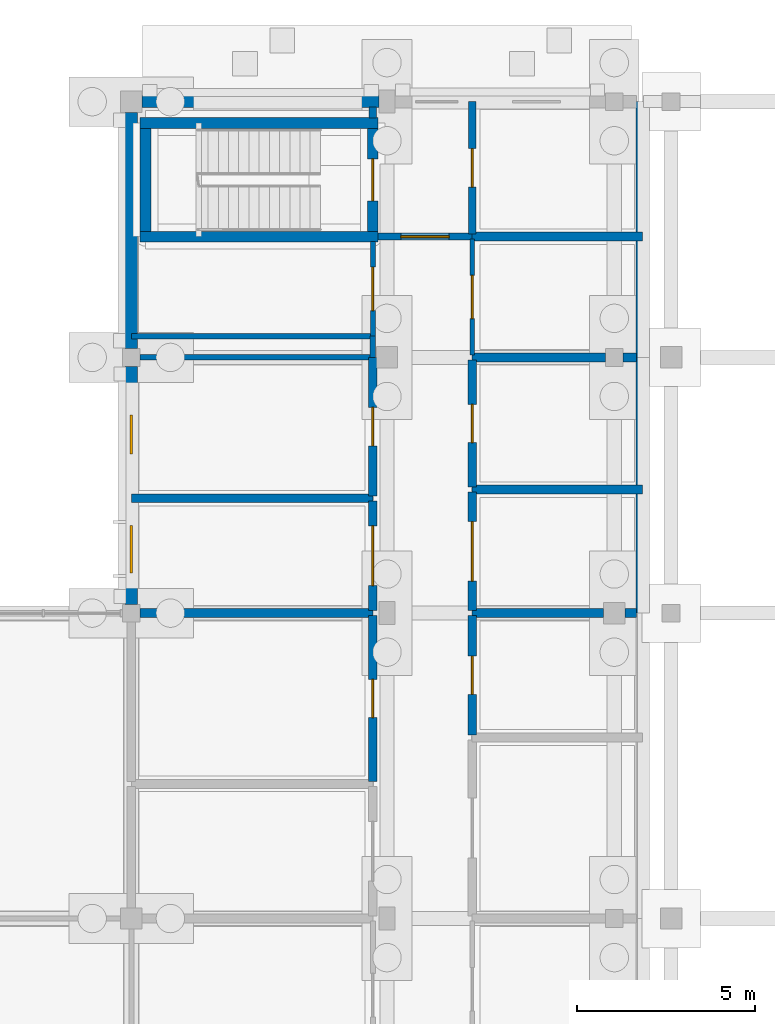
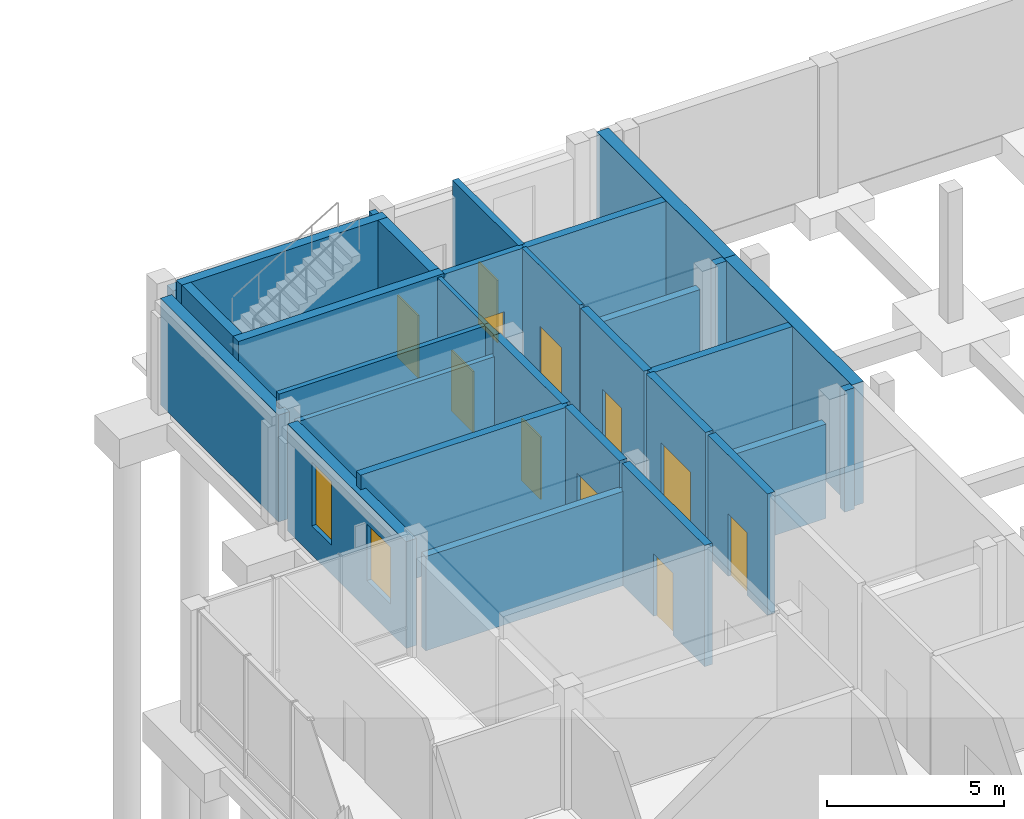
# One storey, part 82 of 104: 31 walls, 11 doors, 2 windows, 13 openings.
"""IFC4 building model written with IfcOpenShell, lengths in metres."""

from ifc_helpers import new_model, si_unit, direction, frame, frame_2d, origin, place, context, subcontext, project, spatial, rectangle, extrude, material, layer, layer_set, type_object, element, fill, save


model = new_model("IFC4")

# Units and contexts
model_context = context("Model", 3, precision=1e-05, world=origin(), true_north=direction((0.0, 1.0)))
body_context = subcontext(model_context, "Body", "Model", "MODEL_VIEW")
ifc_project = project(units=[si_unit("LENGTHUNIT", "METRE"), si_unit("AREAUNIT", "SQUARE_METRE"), si_unit("VOLUMEUNIT", "CUBIC_METRE"), si_unit("PLANEANGLEUNIT", "RADIAN"), si_unit("MASSUNIT", "GRAM", prefix="KILO")], contexts=[model_context])

# Site, building, storey
site_placement = place(None, origin())
site = spatial("IfcSite", under=ifc_project, at=site_placement, CompositionType="ELEMENT")
building_placement = place(site_placement, origin())
building = spatial("IfcBuilding", under=site, at=building_placement, Name="Hawrajan Terrace Health Centre", CompositionType="ELEMENT")
storey_placement = place(building_placement, origin())
storey = spatial("IfcBuildingStorey", under=building, at=storey_placement, Name="L00", CompositionType="ELEMENT", Elevation=0.0)

# Wall, opening, door
ifc_material_1 = material(Name="Gypsum board on acoustic stud framing")
ifc_layer_1 = layer(ifc_material_1, 0.139892578125)
ifc_layer_set_1 = layer_set([ifc_layer_1], Name="Gypsum board on acoustic stud framing")
wall_type_1 = type_object("IfcWallType", Name="ClinicalAcousticWall_140", PredefinedType="PARTITIONING", material=ifc_layer_set_1)
wall_1_placement = place(storey_placement, frame((121.800048828125, 53.199951171875, 0.0), z_axis=(0.0, 0.0, 1.0), x_axis=(0.0, 1.0, 0.0)))
wall_1 = element("IfcWall", 1, at=wall_1_placement, inside=storey, type_object=wall_type_1, Name="Interior wall IW-L00-0435", PredefinedType="PARTITIONING", context=body_context, shape_type="SweptSolid", body=[
    extrude(rectangle(XDim=2.66015625, YDim=0.139892578125, at=frame_2d((1.330078125, 0.0))), origin(), (0.0, 0.0, 1.0), 4.179931640625),
])
opening_1_placement = place(wall_1_placement, frame((0.719970703125, 0.0, 0.0)))
opening_1 = element("IfcOpeningElement", 2, at=opening_1_placement, cuts=wall_1, Name="Opening D-L00-124", PredefinedType="OPENING", context=body_context, shape_type="SweptSolid", body=[
    extrude(rectangle(XDim=1.219970703125, YDim=2.10009765625, at=frame_2d((0.60986328125, 1.050048828125))), frame((0.0, 0.079833984375, 0.0), z_axis=(0.0, -1.0, 0.0), x_axis=(1.0, 0.0, 0.0)), (0.0, 0.0, 1.0), 0.159912109375),
])
ifc_material_2 = material(Name="Hardwood acoustic clinical door leaf and frame", Category="wood")
door_type_1 = type_object("IfcDoorType", Name="ConsultDoor_1220x2100", OperationType="NOTDEFINED", PredefinedType="DOOR", material=ifc_material_2)
door_1_placement = place(opening_1_placement, origin())
door_1 = element("IfcDoor", 3, at=door_1_placement, inside=storey, type_object=door_type_1, Name="Interior door D-L00-124", OperationType="SINGLE_SWING_RIGHT", OverallHeight=2.10009765625, OverallWidth=1.219970703125, PredefinedType="DOOR", context=body_context, shape_type="SweptSolid", body=[
    extrude(rectangle(XDim=1.219970703125, YDim=2.10009765625, at=frame_2d((0.60986328125, 1.050048828125))), frame((0.0, 0.02490234375, 0.0), z_axis=(0.0, -1.0, 0.0), x_axis=(1.0, 0.0, 0.0)), (0.0, 0.0, 1.0), 0.050048828125),
])
fill(opening_1, door_1)

wall_2_placement = place(storey_placement, frame((124.60009765625, 52.669921875, 0.0), z_axis=(0.0, 0.0, 1.0), x_axis=(0.0, 1.0, 0.0)))
wall_2 = element("IfcWall", 4, at=wall_2_placement, inside=storey, type_object=wall_type_1, Name="Interior wall IW-L00-0461", PredefinedType="PARTITIONING", context=body_context, shape_type="SweptSolid", body=[
    extrude(rectangle(XDim=3.260009765625, YDim=0.139892578125, at=frame_2d((1.6298828125, 0.0))), origin(), (0.0, 0.0, 1.0), 4.179931640625),
])
opening_2_placement = place(wall_2_placement, frame((1.02001953125, 0.0, 0.0)))
opening_2 = element("IfcOpeningElement", 5, at=opening_2_placement, cuts=wall_2, Name="Opening D-L00-237", PredefinedType="OPENING", context=body_context, shape_type="SweptSolid", body=[
    extrude(rectangle(XDim=1.219970703125, YDim=2.10009765625, at=frame_2d((0.60986328125, 1.050048828125))), frame((0.0, 0.079833984375, 0.0), z_axis=(0.0, -1.0, 0.0), x_axis=(1.0, 0.0, 0.0)), (0.0, 0.0, 1.0), 0.159912109375),
])
door_2_placement = place(opening_2_placement, origin())
door_2 = element("IfcDoor", 6, at=door_2_placement, inside=storey, type_object=door_type_1, Name="Interior door D-L00-237", OperationType="SINGLE_SWING_LEFT", OverallHeight=2.10009765625, OverallWidth=1.219970703125, PredefinedType="DOOR", context=body_context, shape_type="SweptSolid", body=[
    extrude(rectangle(XDim=1.219970703125, YDim=2.10009765625, at=frame_2d((0.60986328125, 1.050048828125))), frame((0.0, 0.02490234375, 0.0), z_axis=(0.0, -1.0, 0.0), x_axis=(1.0, 0.0, 0.0)), (0.0, 0.0, 1.0), 0.050048828125),
])
fill(opening_2, door_2)

# Wall, openings, windows
ifc_material_3 = material(Name="Precast concrete C40/50", Category="concrete")
ifc_layer_2 = layer(ifc_material_3, 0.340087890625)
ifc_layer_set_2 = layer_set([ifc_layer_2], Name="Precast concrete C40/50")
wall_type_2 = type_object("IfcWallType", Name="CoralAshlarWall_340", PredefinedType="SOLIDWALL", material=ifc_layer_set_2)
wall_3_placement = place(storey_placement, frame((115.0, 45.64990234375, 0.0), z_axis=(0.0, 0.0, 1.0), x_axis=(0.0, 1.0, 0.0)))
wall_3 = element("IfcWall", 7, at=wall_3_placement, inside=storey, type_object=wall_type_2, Name="Exterior wall EW-L00-V14-05-1", PredefinedType="SOLIDWALL", context=body_context, shape_type="SweptSolid", body=[
    extrude(rectangle(XDim=6.7001953125, YDim=0.340087890625, at=frame_2d((3.35009765625, 0.0))), origin(), (0.0, 0.0, 1.0), 3.679931640625),
])
opening_3_placement = place(wall_3_placement, frame((0.88134765625, 0.0, 1.0)))
opening_3 = element("IfcOpeningElement", 8, at=opening_3_placement, cuts=wall_3, Name="Opening W-L00-040", PredefinedType="OPENING", context=body_context, shape_type="SweptSolid", body=[
    extrude(rectangle(XDim=1.340087890625, YDim=1.949951171875, at=frame_2d((0.669921875, 0.97509765625))), frame((0.0, 0.179931640625, 0.0), z_axis=(0.0, -1.0, 0.0), x_axis=(1.0, 0.0, 0.0)), (0.0, 0.0, 1.0), 0.360107421875),
])
opening_4_placement = place(wall_3_placement, frame((4.2314453125, 0.0, 1.0)))
opening_4 = element("IfcOpeningElement", 9, at=opening_4_placement, cuts=wall_3, Name="Opening W-L00-041", PredefinedType="OPENING", context=body_context, shape_type="SweptSolid", body=[
    extrude(rectangle(XDim=1.10009765625, YDim=2.199951171875, at=frame_2d((0.550048828125, 1.10009765625))), frame((0.0, 0.179931640625, 0.0), z_axis=(0.0, -1.0, 0.0), x_axis=(1.0, 0.0, 0.0)), (0.0, 0.0, 1.0), 0.360107421875),
])
ifc_material_4 = material(Name="Anodized bronze frame with double low-E glazing", Category="glass")
window_type_1 = type_object("IfcWindowType", Name="FacadeWindow_1100x2200", PartitioningType="SINGLE_PANEL", PredefinedType="WINDOW", material=ifc_material_4)
window_1_placement = place(opening_4_placement, origin())
window_1 = element("IfcWindow", 10, at=window_1_placement, inside=storey, type_object=window_type_1, Name="Window W-L00-041", OverallHeight=2.199951171875, OverallWidth=1.10009765625, PartitioningType="SINGLE_PANEL", PredefinedType="WINDOW", context=body_context, shape_type="SweptSolid", body=[
    extrude(rectangle(XDim=1.10009765625, YDim=2.199951171875, at=frame_2d((0.550048828125, 1.10009765625))), frame((0.0, 0.030029296875, 0.0), z_axis=(0.0, -1.0, 0.0), x_axis=(1.0, 0.0, 0.0)), (0.0, 0.0, 1.0), 0.06005859375),
])
fill(opening_4, window_1)
window_type_2 = type_object("IfcWindowType", Name="FacadeWindow_1340x1950", PartitioningType="SINGLE_PANEL", PredefinedType="WINDOW", material=ifc_material_4)
window_2_placement = place(opening_3_placement, origin())
window_2 = element("IfcWindow", 11, at=window_2_placement, inside=storey, type_object=window_type_2, Name="Window W-L00-040", OverallHeight=1.949951171875, OverallWidth=1.340087890625, PartitioningType="SINGLE_PANEL", PredefinedType="WINDOW", context=body_context, shape_type="SweptSolid", body=[
    extrude(rectangle(XDim=1.340087890625, YDim=1.949951171875, at=frame_2d((0.669921875, 0.97509765625))), frame((0.0, 0.030029296875, 0.0), z_axis=(0.0, -1.0, 0.0), x_axis=(1.0, 0.0, 0.0)), (0.0, 0.0, 1.0), 0.06005859375),
])
fill(opening_3, window_2)

# Walls
wall_4_placement = place(storey_placement, frame((115.300048828125, 59.800048828125, 0.0), z_axis=(0.0, 0.0, 1.0), x_axis=(1.0, 0.0, 0.0)))
element("IfcWall", 12, at=wall_4_placement, inside=storey, type_object=wall_type_2, Name="Exterior wall EW-L00-H14-07-1", PredefinedType="SOLIDWALL", context=body_context, shape_type="SweptSolid", body=[
    extrude(rectangle(XDim=6.675048828125, YDim=0.340087890625, at=frame_2d((3.33740234375, 0.0))), origin(), (0.0, 0.0, 1.0), 3.679931640625),
])
ifc_layer_3 = layer(ifc_material_3, 0.360107421875)
ifc_layer_set_3 = layer_set([ifc_layer_3], Name="Precast concrete C40/50")
wall_type_3 = type_object("IfcWallType", Name="CoralPodiumWall_360", PredefinedType="SOLIDWALL", material=ifc_layer_set_3)
wall_5_placement = place(storey_placement, frame((115.0, 52.85009765625, 0.0), z_axis=(0.0, 0.0, 1.0), x_axis=(0.0, 1.0, 0.0)))
element("IfcWall", 13, at=wall_5_placement, inside=storey, type_object=wall_type_3, Name="Exterior wall EW-L00-V14-06-1", PredefinedType="SOLIDWALL", context=body_context, shape_type="SweptSolid", body=[
    extrude(rectangle(XDim=6.64990234375, YDim=0.360107421875, at=frame_2d((3.324951171875, 0.0))), origin(), (0.0, 0.0, 1.0), 3.679931640625),
])
ifc_material_5 = material(Name="Concrete C40/50", Category="concrete")
ifc_layer_4 = layer(ifc_material_5, 0.300048828125)
ifc_layer_set_4 = layer_set([ifc_layer_4], Name="Concrete C40/50")
wall_type_4 = type_object("IfcWallType", Name="CoreShearWall_RC300", PredefinedType="SHEAR", material=ifc_layer_set_4)
for number, where, z_axis, x_axis, name in (
    (14, (115.25, 56.0, 0.0), (0.0, 0.0, 1.0), (1.0, 0.0, 0.0), "Core shear wall SW-S7-L00-S"),
    (15, (115.25, 59.199951171875, 0.0), (0.0, 0.0, 1.0), (1.0, 0.0, 0.0), "Core shear wall SW-S7-L00-N"),
):
    element("IfcWall", number, at=place(storey_placement, frame(where, z_axis=z_axis, x_axis=x_axis)), inside=storey, type_object=wall_type_4, Name=name, PredefinedType="SHEAR", context=body_context, shape_type="SweptSolid", body=[
        extrude(rectangle(XDim=6.699951171875, YDim=0.300048828125, at=frame_2d((3.35009765625, 0.0))), origin(), (0.0, 0.0, 1.0), 4.25),
    ])
wall_6_placement = place(storey_placement, frame((115.39990234375, 56.14990234375, 0.0), z_axis=(0.0, 0.0, 1.0), x_axis=(0.0, 1.0, 0.0)))
element("IfcWall", 16, at=wall_6_placement, inside=storey, type_object=wall_type_4, Name="Core shear wall SW-S7-L00-W", PredefinedType="SHEAR", context=body_context, shape_type="SweptSolid", body=[
    extrude(rectangle(XDim=2.900146484375, YDim=0.300048828125, at=frame_2d((1.4501953125, 0.0))), origin(), (0.0, 0.0, 1.0), 4.25),
])

# Wall, opening, door
wall_7_placement = place(storey_placement, frame((121.800048828125, 56.14990234375, 0.0), z_axis=(0.0, 0.0, 1.0), x_axis=(0.0, 1.0, 0.0)))
wall_7 = element("IfcWall", 17, at=wall_7_placement, inside=storey, type_object=wall_type_4, Name="Core shear wall SW-S7-L00-E", PredefinedType="SHEAR", context=body_context, shape_type="SweptSolid", body=[
    extrude(rectangle(XDim=2.900146484375, YDim=0.300048828125, at=frame_2d((1.4501953125, 0.0))), origin(), (0.0, 0.0, 1.0), 4.25),
])
opening_5_placement = place(wall_7_placement, frame((0.860107421875, 0.0, 0.0)))
opening_5 = element("IfcOpeningElement", 18, at=opening_5_placement, cuts=wall_7, Name="Opening D-L00-102", PredefinedType="OPENING", context=body_context, shape_type="SweptSolid", body=[
    extrude(rectangle(XDim=1.179931640625, YDim=2.14990234375, at=frame_2d((0.58984375, 1.074951171875))), frame((0.0, 0.159912109375, 0.0), z_axis=(0.0, -1.0, 0.0), x_axis=(1.0, 0.0, 0.0)), (0.0, 0.0, 1.0), 0.320068359375),
])
ifc_material_6 = material(Name="Timber-veneered acoustic fire-resisting door assembly", Category="wood")
door_type_2 = type_object("IfcDoorType", Name="CoreStairDoor_1180x2150", OperationType="NOTDEFINED", PredefinedType="DOOR", material=ifc_material_6)
door_3_placement = place(opening_5_placement, origin())
door_3 = element("IfcDoor", 19, at=door_3_placement, inside=storey, type_object=door_type_2, Name="Interior door D-L00-102", OperationType="SINGLE_SWING_RIGHT", OverallHeight=2.14990234375, OverallWidth=1.179931640625, PredefinedType="DOOR", context=body_context, shape_type="SweptSolid", body=[
    extrude(rectangle(XDim=1.179931640625, YDim=2.14990234375, at=frame_2d((0.58984375, 1.074951171875))), frame((0.0, 0.02490234375, 0.0), z_axis=(0.0, -1.0, 0.0), x_axis=(1.0, 0.0, 0.0)), (0.0, 0.0, 1.0), 0.050048828125),
])
fill(opening_5, door_3)

# Walls
ifc_layer_5 = layer(ifc_material_1, 0.159912109375)
ifc_layer_set_5 = layer_set([ifc_layer_5], Name="Gypsum board on acoustic stud framing")
wall_type_5 = type_object("IfcWallType", Name="CorridorFireWall_160", PredefinedType="PARTITIONING", material=ifc_layer_set_5)
wall_8_placement = place(storey_placement, frame((121.800048828125, 52.60009765625, 0.0), z_axis=(0.0, 0.0, 1.0), x_axis=(0.0, 1.0, 0.0)))
element("IfcWall", 20, at=wall_8_placement, inside=storey, type_object=wall_type_5, Name="Interior wall IW-L00-0488", PredefinedType="PARTITIONING", context=body_context, shape_type="SweptSolid", body=[
    extrude(rectangle(XDim=0.599853515625, YDim=0.159912109375, at=frame_2d((0.2998046875, 0.0))), origin(), (0.0, 0.0, 1.0), 4.179931640625),
])
wall_9_placement = place(storey_placement, frame((115.0, 53.199951171875, 0.0), z_axis=(0.0, 0.0, 1.0), x_axis=(1.0, 0.0, 0.0)))
element("IfcWall", 21, at=wall_9_placement, inside=storey, type_object=wall_type_5, Name="Interior wall IW-L00-0490", PredefinedType="PARTITIONING", context=body_context, shape_type="SweptSolid", body=[
    extrude(rectangle(XDim=6.800048828125, YDim=0.159912109375, at=frame_2d((3.39990234375, 0.0))), origin(), (0.0, 0.0, 1.0), 4.179931640625),
])
wall_10_placement = place(storey_placement, frame((121.800048828125, 52.60009765625, 0.0), z_axis=(0.0, 0.0, 1.0), x_axis=(-1.0, 0.0, 0.0)))
element("IfcWall", 22, at=wall_10_placement, inside=storey, type_object=wall_type_5, Name="Interior wall IW-L00-0505", PredefinedType="PARTITIONING", context=body_context, shape_type="SweptSolid", body=[
    extrude(rectangle(XDim=6.550048828125, YDim=0.159912109375, at=frame_2d((3.27490234375, 0.0))), origin(), (0.0, 0.0, 1.0), 3.5),
])
ifc_layer_6 = layer(ifc_material_5, 0.3798828125)
ifc_layer_set_6 = layer_set([ifc_layer_6], Name="Concrete C40/50")
wall_type_6 = type_object("IfcWallType", Name="EscarpmentWall_RC380", PredefinedType="USERDEFINED", material=ifc_layer_set_6)
wall_11_placement = place(storey_placement, frame((129.39501953125, 45.39990234375, 0.0), z_axis=(0.0, 0.0, 1.0), x_axis=(0.0, 1.0, 0.0)))
element("IfcWall", 23, at=wall_11_placement, inside=storey, type_object=wall_type_6, Name="Exterior wall EW-L00-V16-05-1", ObjectType="RETAINING WALL", PredefinedType="USERDEFINED", context=body_context, shape_type="SweptSolid", body=[
    extrude(rectangle(XDim=7.2001953125, YDim=0.3798828125, at=frame_2d((3.60009765625, 0.0))), origin(), (0.0, 0.0, 1.0), 4.199951171875),
])
wall_12_placement = place(storey_placement, frame((129.39501953125, 52.60009765625, 0.0), z_axis=(0.0, 0.0, 1.0), x_axis=(0.0, 1.0, 0.0)))
element("IfcWall", 24, at=wall_12_placement, inside=storey, type_object=wall_type_6, Name="Exterior wall EW-L00-V16-06-1", ObjectType="RETAINING WALL", PredefinedType="USERDEFINED", context=body_context, shape_type="SweptSolid", body=[
    extrude(rectangle(XDim=7.199951171875, YDim=0.3798828125, at=frame_2d((3.60009765625, 0.0))), origin(), (0.0, 0.0, 1.0), 4.199951171875),
])

# Wall, opening, door
ifc_material_7 = material(Name="Cross-laminated timber CLT C24", Category="wood")
ifc_layer_7 = layer(ifc_material_7, 0.199951171875)
ifc_layer_set_7 = layer_set([ifc_layer_7], Name="Cross-laminated timber CLT C24")
wall_type_7 = type_object("IfcWallType", Name="FireCompartmentWall_200", PredefinedType="PARTITIONING", material=ifc_layer_set_7)
wall_13_placement = place(storey_placement, frame((121.93994140625, 56.0, 0.0), z_axis=(0.0, 0.0, 1.0), x_axis=(1.0, 0.0, 0.0)))
wall_13 = element("IfcWall", 25, at=wall_13_placement, inside=storey, type_object=wall_type_7, Name="Interior wall IW-L00-0436", PredefinedType="PARTITIONING", context=body_context, shape_type="SweptSolid", body=[
    extrude(rectangle(XDim=2.66015625, YDim=0.199951171875, at=frame_2d((1.330078125, 0.0))), origin(), (0.0, 0.0, 1.0), 4.179931640625),
])
opening_6_placement = place(wall_13_placement, frame((0.64990234375, 0.0, 0.0)))
opening_6 = element("IfcOpeningElement", 26, at=opening_6_placement, cuts=wall_13, Name="Opening D-L00-143", PredefinedType="OPENING", context=body_context, shape_type="SweptSolid", body=[
    extrude(rectangle(XDim=1.360107421875, YDim=2.199951171875, at=frame_2d((0.68017578125, 1.10009765625))), frame((0.0, 0.10986328125, 0.0), z_axis=(0.0, -1.0, 0.0), x_axis=(1.0, 0.0, 0.0)), (0.0, 0.0, 1.0), 0.219970703125),
])
door_type_3 = type_object("IfcDoorType", Name="FFLobbyDoor_1360x2200", OperationType="NOTDEFINED", PredefinedType="DOOR", material=ifc_material_6)
door_4_placement = place(opening_6_placement, origin())
door_4 = element("IfcDoor", 27, at=door_4_placement, inside=storey, type_object=door_type_3, Name="Interior door D-L00-143", OperationType="SINGLE_SWING_LEFT", OverallHeight=2.199951171875, OverallWidth=1.360107421875, PredefinedType="DOOR", context=body_context, shape_type="SweptSolid", body=[
    extrude(rectangle(XDim=1.360107421875, YDim=2.199951171875, at=frame_2d((0.68017578125, 1.10009765625))), frame((0.0, 0.02490234375, 0.0), z_axis=(0.0, -1.0, 0.0), x_axis=(1.0, 0.0, 0.0)), (0.0, 0.0, 1.0), 0.050048828125),
])
fill(opening_6, door_4)

wall_14_placement = place(storey_placement, frame((124.60009765625, 56.070068359375, 0.0), z_axis=(0.0, 0.0, 1.0), x_axis=(0.0, 1.0, 0.0)))
wall_14 = element("IfcWall", 28, at=wall_14_placement, inside=storey, type_object=wall_type_7, Name="Interior wall IW-L00-0464", PredefinedType="PARTITIONING", context=body_context, shape_type="SweptSolid", body=[
    extrude(rectangle(XDim=3.72998046875, YDim=0.199951171875, at=frame_2d((1.864990234375, 0.0))), origin(), (0.0, 0.0, 1.0), 4.179931640625),
])
opening_7_placement = place(wall_14_placement, frame((1.324951171875, 0.0, 0.0)))
opening_7 = element("IfcOpeningElement", 29, at=opening_7_placement, cuts=wall_14, Name="Opening D-L00-238", PredefinedType="OPENING", context=body_context, shape_type="SweptSolid", body=[
    extrude(rectangle(XDim=1.080078125, YDim=2.14990234375, at=frame_2d((0.5400390625, 1.074951171875))), frame((0.0, 0.10986328125, 0.0), z_axis=(0.0, -1.0, 0.0), x_axis=(1.0, 0.0, 0.0)), (0.0, 0.0, 1.0), 0.219970703125),
])
door_type_4 = type_object("IfcDoorType", Name="ClinicalFireDoor_1080x2150", OperationType="NOTDEFINED", PredefinedType="DOOR", material=ifc_material_6)
door_5_placement = place(opening_7_placement, origin())
door_5 = element("IfcDoor", 30, at=door_5_placement, inside=storey, type_object=door_type_4, Name="Interior door D-L00-238", OperationType="SINGLE_SWING_RIGHT", OverallHeight=2.14990234375, OverallWidth=1.080078125, PredefinedType="DOOR", context=body_context, shape_type="SweptSolid", body=[
    extrude(rectangle(XDim=1.080078125, YDim=2.14990234375, at=frame_2d((0.5400390625, 1.074951171875))), frame((0.0, 0.02490234375, 0.0), z_axis=(0.0, -1.0, 0.0), x_axis=(1.0, 0.0, 0.0)), (0.0, 0.0, 1.0), 0.050048828125),
])
fill(opening_7, door_5)

# Walls
wall_15_placement = place(storey_placement, frame((121.800048828125, 59.340087890625, 0.0), z_axis=(0.0, 0.0, 1.0), x_axis=(0.0, 1.0, 0.0)))
element("IfcWall", 31, at=wall_15_placement, inside=storey, type_object=wall_type_7, Name="Interior wall IW-L00-0474", PredefinedType="PARTITIONING", context=body_context, shape_type="SweptSolid", body=[
    extrude(rectangle(XDim=0.309814453125, YDim=0.199951171875, at=frame_2d((0.15478515625, 0.0))), origin(), (0.0, 0.0, 1.0), 4.179931640625),
])
ifc_layer_8 = layer(ifc_material_5, 0.25)
ifc_layer_set_8 = layer_set([ifc_layer_8], Name="Concrete C40/50")
wall_type_8 = type_object("IfcWallType", Name="RadiationShieldWall_RC250", PredefinedType="SOLIDWALL", material=ifc_layer_set_8)
wall_16_placement = place(storey_placement, frame((115.25, 45.39990234375, 0.0), z_axis=(0.0, 0.0, 1.0), x_axis=(1.0, 0.0, 0.0)))
element("IfcWall", 32, at=wall_16_placement, inside=storey, type_object=wall_type_8, Name="Interior wall IW-L00-0421", PredefinedType="SOLIDWALL", context=body_context, shape_type="SweptSolid", body=[
    extrude(rectangle(XDim=6.550048828125, YDim=0.25, at=frame_2d((3.27490234375, 0.0))), origin(), (0.0, 0.0, 1.0), 3.25),
])
wall_17_placement = place(storey_placement, frame((115.0, 48.633056640625, 0.0), z_axis=(0.0, 0.0, 1.0), x_axis=(1.0, 0.0, 0.0)))
element("IfcWall", 33, at=wall_17_placement, inside=storey, type_object=wall_type_8, Name="Interior wall IW-L00-0422", PredefinedType="SOLIDWALL", context=body_context, shape_type="SweptSolid", body=[
    extrude(rectangle(XDim=6.800048828125, YDim=0.25, at=frame_2d((3.39990234375, 0.0))), origin(), (0.0, 0.0, 1.0), 4.179931640625),
])

# Wall, opening, door
wall_18_placement = place(storey_placement, frame((121.800048828125, 40.6630859375, 0.0), z_axis=(0.0, 0.0, 1.0), x_axis=(0.0, 1.0, 0.0)))
wall_18 = element("IfcWall", 34, at=wall_18_placement, inside=storey, type_object=wall_type_8, Name="Interior wall IW-L00-0432", PredefinedType="SOLIDWALL", context=body_context, shape_type="SweptSolid", body=[
    extrude(rectangle(XDim=4.6669921875, YDim=0.25, at=frame_2d((2.33349609375, 0.0))), origin(), (0.0, 0.0, 1.0), 4.179931640625),
])
opening_8_placement = place(wall_18_placement, frame((1.79345703125, 0.0, 0.0)))
opening_8 = element("IfcOpeningElement", 35, at=opening_8_placement, cuts=wall_18, Name="Opening D-L00-224", PredefinedType="OPENING", context=body_context, shape_type="SweptSolid", body=[
    extrude(rectangle(XDim=1.080078125, YDim=2.14990234375, at=frame_2d((0.5400390625, 1.074951171875))), frame((0.0, 0.135009765625, 0.0), z_axis=(0.0, -1.0, 0.0), x_axis=(1.0, 0.0, 0.0)), (0.0, 0.0, 1.0), 0.27001953125),
])
door_6_placement = place(opening_8_placement, origin())
door_6 = element("IfcDoor", 36, at=door_6_placement, inside=storey, type_object=door_type_4, Name="Interior door D-L00-224", OperationType="SINGLE_SWING_RIGHT", OverallHeight=2.14990234375, OverallWidth=1.080078125, PredefinedType="DOOR", context=body_context, shape_type="SweptSolid", body=[
    extrude(rectangle(XDim=1.080078125, YDim=2.14990234375, at=frame_2d((0.5400390625, 1.074951171875))), frame((0.0, 0.02490234375, 0.0), z_axis=(0.0, -1.0, 0.0), x_axis=(1.0, 0.0, 0.0)), (0.0, 0.0, 1.0), 0.050048828125),
])
fill(opening_8, door_6)

wall_19_placement = place(storey_placement, frame((121.800048828125, 45.469970703125, 0.0), z_axis=(0.0, 0.0, 1.0), x_axis=(0.0, 1.0, 0.0)))
wall_19 = element("IfcWall", 37, at=wall_19_placement, inside=storey, type_object=wall_type_8, Name="Interior wall IW-L00-0433", PredefinedType="SOLIDWALL", context=body_context, shape_type="SweptSolid", body=[
    extrude(rectangle(XDim=3.093017578125, YDim=0.25, at=frame_2d((1.54638671875, 0.0))), origin(), (0.0, 0.0, 1.0), 4.179931640625),
])
opening_9_placement = place(wall_19_placement, frame((0.70654296875, 0.0, 0.0)))
opening_9 = element("IfcOpeningElement", 38, at=opening_9_placement, cuts=wall_19, Name="Opening D-L00-225", PredefinedType="OPENING", context=body_context, shape_type="SweptSolid", body=[
    extrude(rectangle(XDim=1.679931640625, YDim=2.300048828125, at=frame_2d((0.83984375, 1.14990234375))), frame((0.0, 0.135009765625, 0.0), z_axis=(0.0, -1.0, 0.0), x_axis=(1.0, 0.0, 0.0)), (0.0, 0.0, 1.0), 0.27001953125),
])
door_type_5 = type_object("IfcDoorType", Name="ImagingShieldedDoor_1680x2300", OperationType="DOUBLE_DOOR_SINGLE_SWING", PredefinedType="DOOR", material=ifc_material_6)
door_7_placement = place(opening_9_placement, origin())
door_7 = element("IfcDoor", 39, at=door_7_placement, inside=storey, type_object=door_type_5, Name="Interior door D-L00-225", OperationType="DOUBLE_DOOR_SINGLE_SWING", OverallHeight=2.300048828125, OverallWidth=1.679931640625, PredefinedType="DOOR", context=body_context, shape_type="SweptSolid", body=[
    extrude(rectangle(XDim=1.679931640625, YDim=2.300048828125, at=frame_2d((0.83984375, 1.14990234375))), frame((0.0, 0.02490234375, 0.0), z_axis=(0.0, -1.0, 0.0), x_axis=(1.0, 0.0, 0.0)), (0.0, 0.0, 1.0), 0.050048828125),
])
fill(opening_9, door_7)

wall_20_placement = place(storey_placement, frame((121.800048828125, 48.702880859375, 0.0), z_axis=(0.0, 0.0, 1.0), x_axis=(0.0, 1.0, 0.0)))
wall_20 = element("IfcWall", 40, at=wall_20_placement, inside=storey, type_object=wall_type_8, Name="Interior wall IW-L00-0434", PredefinedType="SOLIDWALL", context=body_context, shape_type="SweptSolid", body=[
    extrude(rectangle(XDim=3.897216796875, YDim=0.25, at=frame_2d((1.94873046875, 0.0))), origin(), (0.0, 0.0, 1.0), 4.179931640625),
])
opening_10_placement = place(wall_20_placement, frame((1.408447265625, 0.0, 0.0)))
opening_10 = element("IfcOpeningElement", 41, at=opening_10_placement, cuts=wall_20, Name="Opening D-L00-226", PredefinedType="OPENING", context=body_context, shape_type="SweptSolid", body=[
    extrude(rectangle(XDim=1.080078125, YDim=2.14990234375, at=frame_2d((0.5400390625, 1.074951171875))), frame((0.0, 0.135009765625, 0.0), z_axis=(0.0, -1.0, 0.0), x_axis=(1.0, 0.0, 0.0)), (0.0, 0.0, 1.0), 0.27001953125),
])
door_8_placement = place(opening_10_placement, origin())
door_8 = element("IfcDoor", 42, at=door_8_placement, inside=storey, type_object=door_type_4, Name="Interior door D-L00-226", OperationType="SINGLE_SWING_RIGHT", OverallHeight=2.14990234375, OverallWidth=1.080078125, PredefinedType="DOOR", context=body_context, shape_type="SweptSolid", body=[
    extrude(rectangle(XDim=1.080078125, YDim=2.14990234375, at=frame_2d((0.5400390625, 1.074951171875))), frame((0.0, 0.02490234375, 0.0), z_axis=(0.0, -1.0, 0.0), x_axis=(1.0, 0.0, 0.0)), (0.0, 0.0, 1.0), 0.050048828125),
])
fill(opening_10, door_8)

wall_21_placement = place(storey_placement, frame((124.60009765625, 41.969970703125, 0.0), z_axis=(0.0, 0.0, 1.0), x_axis=(0.0, 1.0, 0.0)))
wall_21 = element("IfcWall", 43, at=wall_21_placement, inside=storey, type_object=wall_type_8, Name="Interior wall IW-L00-0454", PredefinedType="SOLIDWALL", context=body_context, shape_type="SweptSolid", body=[
    extrude(rectangle(XDim=3.360107421875, YDim=0.25, at=frame_2d((1.68017578125, 0.0))), origin(), (0.0, 0.0, 1.0), 4.179931640625),
])
opening_11_placement = place(wall_21_placement, frame((1.139892578125, 0.0, 0.0)))
opening_11 = element("IfcOpeningElement", 44, at=opening_11_placement, cuts=wall_21, Name="Opening D-L00-234", PredefinedType="OPENING", context=body_context, shape_type="SweptSolid", body=[
    extrude(rectangle(XDim=1.080078125, YDim=2.14990234375, at=frame_2d((0.5400390625, 1.074951171875))), frame((0.0, 0.135009765625, 0.0), z_axis=(0.0, -1.0, 0.0), x_axis=(1.0, 0.0, 0.0)), (0.0, 0.0, 1.0), 0.27001953125),
])
door_9_placement = place(opening_11_placement, origin())
door_9 = element("IfcDoor", 45, at=door_9_placement, inside=storey, type_object=door_type_4, Name="Interior door D-L00-234", OperationType="SINGLE_SWING_RIGHT", OverallHeight=2.14990234375, OverallWidth=1.080078125, PredefinedType="DOOR", context=body_context, shape_type="SweptSolid", body=[
    extrude(rectangle(XDim=1.080078125, YDim=2.14990234375, at=frame_2d((0.5400390625, 1.074951171875))), frame((0.0, 0.02490234375, 0.0), z_axis=(0.0, -1.0, 0.0), x_axis=(1.0, 0.0, 0.0)), (0.0, 0.0, 1.0), 0.050048828125),
])
fill(opening_11, door_9)

wall_22_placement = place(storey_placement, frame((124.60009765625, 45.469970703125, 0.0), z_axis=(0.0, 0.0, 1.0), x_axis=(0.0, 1.0, 0.0)))
wall_22 = element("IfcWall", 46, at=wall_22_placement, inside=storey, type_object=wall_type_8, Name="Interior wall IW-L00-0456", PredefinedType="SOLIDWALL", context=body_context, shape_type="SweptSolid", body=[
    extrude(rectangle(XDim=3.338134765625, YDim=0.25, at=frame_2d((1.6689453125, 0.0))), origin(), (0.0, 0.0, 1.0), 4.179931640625),
])
opening_12_placement = place(wall_22_placement, frame((0.8291015625, 0.0, 0.0)))
opening_12 = element("IfcOpeningElement", 47, at=opening_12_placement, cuts=wall_22, Name="Opening D-L00-235", PredefinedType="OPENING", context=body_context, shape_type="SweptSolid", body=[
    extrude(rectangle(XDim=1.679931640625, YDim=2.300048828125, at=frame_2d((0.83984375, 1.14990234375))), frame((0.0, 0.135009765625, 0.0), z_axis=(0.0, -1.0, 0.0), x_axis=(1.0, 0.0, 0.0)), (0.0, 0.0, 1.0), 0.27001953125),
])
door_10_placement = place(opening_12_placement, origin())
door_10 = element("IfcDoor", 48, at=door_10_placement, inside=storey, type_object=door_type_5, Name="Interior door D-L00-235", OperationType="DOUBLE_DOOR_SINGLE_SWING", OverallHeight=2.300048828125, OverallWidth=1.679931640625, PredefinedType="DOOR", context=body_context, shape_type="SweptSolid", body=[
    extrude(rectangle(XDim=1.679931640625, YDim=2.300048828125, at=frame_2d((0.83984375, 1.14990234375))), frame((0.0, 0.02490234375, 0.0), z_axis=(0.0, -1.0, 0.0), x_axis=(1.0, 0.0, 0.0)), (0.0, 0.0, 1.0), 0.050048828125),
])
fill(opening_12, door_10)

# Walls
wall_23_placement = place(storey_placement, frame((124.60009765625, 45.39990234375, 0.0), z_axis=(0.0, 0.0, 1.0), x_axis=(1.0, 0.0, 0.0)))
element("IfcWall", 49, at=wall_23_placement, inside=storey, type_object=wall_type_8, Name="Interior wall IW-L00-0457", PredefinedType="SOLIDWALL", context=body_context, shape_type="SweptSolid", body=[
    extrude(rectangle(XDim=3.699951171875, YDim=0.25, at=frame_2d((1.85009765625, 0.0))), origin(), (0.0, 0.0, 1.0), 3.25),
])
wall_24_placement = place(storey_placement, frame((128.89990234375, 45.39990234375, 0.0), z_axis=(0.0, 0.0, 1.0), x_axis=(1.0, 0.0, 0.0)))
element("IfcWall", 50, at=wall_24_placement, inside=storey, type_object=wall_type_8, Name="Interior wall IW-L00-0458", PredefinedType="SOLIDWALL", context=body_context, shape_type="SweptSolid", body=[
    extrude(rectangle(XDim=0.3251953125, YDim=0.25, at=frame_2d((0.16259765625, 0.0))), origin(), (0.0, 0.0, 1.0), 4.179931640625),
])

# Wall, opening, door
wall_25_placement = place(storey_placement, frame((124.60009765625, 48.947998046875, 0.0), z_axis=(0.0, 0.0, 1.0), x_axis=(0.0, 1.0, 0.0)))
wall_25 = element("IfcWall", 51, at=wall_25_placement, inside=storey, type_object=wall_type_8, Name="Interior wall IW-L00-0459", PredefinedType="SOLIDWALL", context=body_context, shape_type="SweptSolid", body=[
    extrude(rectangle(XDim=3.58203125, YDim=0.25, at=frame_2d((1.791015625, 0.0))), origin(), (0.0, 0.0, 1.0), 4.179931640625),
])
opening_13_placement = place(wall_25_placement, frame((1.2509765625, 0.0, 0.0)))
opening_13 = element("IfcOpeningElement", 52, at=opening_13_placement, cuts=wall_25, Name="Opening D-L00-236", PredefinedType="OPENING", context=body_context, shape_type="SweptSolid", body=[
    extrude(rectangle(XDim=1.080078125, YDim=2.14990234375, at=frame_2d((0.5400390625, 1.074951171875))), frame((0.0, 0.135009765625, 0.0), z_axis=(0.0, -1.0, 0.0), x_axis=(1.0, 0.0, 0.0)), (0.0, 0.0, 1.0), 0.27001953125),
])
door_11_placement = place(opening_13_placement, origin())
door_11 = element("IfcDoor", 53, at=door_11_placement, inside=storey, type_object=door_type_4, Name="Interior door D-L00-236", OperationType="SINGLE_SWING_RIGHT", OverallHeight=2.14990234375, OverallWidth=1.080078125, PredefinedType="DOOR", context=body_context, shape_type="SweptSolid", body=[
    extrude(rectangle(XDim=1.080078125, YDim=2.14990234375, at=frame_2d((0.5400390625, 1.074951171875))), frame((0.0, 0.02490234375, 0.0), z_axis=(0.0, -1.0, 0.0), x_axis=(1.0, 0.0, 0.0)), (0.0, 0.0, 1.0), 0.050048828125),
])
fill(opening_13, door_11)

# Walls
wall_26_placement = place(storey_placement, frame((124.60009765625, 48.8779296875, 0.0), z_axis=(0.0, 0.0, 1.0), x_axis=(1.0, 0.0, 0.0)))
element("IfcWall", 54, at=wall_26_placement, inside=storey, type_object=wall_type_8, Name="Interior wall IW-L00-0460", PredefinedType="SOLIDWALL", context=body_context, shape_type="SweptSolid", body=[
    extrude(rectangle(XDim=4.794921875, YDim=0.25, at=frame_2d((2.3974609375, 0.0))), origin(), (0.0, 0.0, 1.0), 4.179931640625),
])
wall_27_placement = place(storey_placement, frame((124.60009765625, 52.60009765625, 0.0), z_axis=(0.0, 0.0, 1.0), x_axis=(1.0, 0.0, 0.0)))
element("IfcWall", 55, at=wall_27_placement, inside=storey, type_object=wall_type_8, Name="Interior wall IW-L00-0462", PredefinedType="SOLIDWALL", context=body_context, shape_type="SweptSolid", body=[
    extrude(rectangle(XDim=3.75, YDim=0.25, at=frame_2d((1.875, 0.0))), origin(), (0.0, 0.0, 1.0), 3.5),
])
wall_28_placement = place(storey_placement, frame((128.85009765625, 52.60009765625, 0.0), z_axis=(0.0, 0.0, 1.0), x_axis=(1.0, 0.0, 0.0)))
element("IfcWall", 56, at=wall_28_placement, inside=storey, type_object=wall_type_8, Name="Interior wall IW-L00-0463", PredefinedType="SOLIDWALL", context=body_context, shape_type="SweptSolid", body=[
    extrude(rectangle(XDim=0.375, YDim=0.25, at=frame_2d((0.1875, 0.0))), origin(), (0.0, 0.0, 1.0), 4.179931640625),
])
wall_29_placement = place(storey_placement, frame((124.60009765625, 56.0, 0.0), z_axis=(0.0, 0.0, 1.0), x_axis=(1.0, 0.0, 0.0)))
element("IfcWall", 57, at=wall_29_placement, inside=storey, type_object=wall_type_8, Name="Interior wall IW-L00-0465", PredefinedType="SOLIDWALL", context=body_context, shape_type="SweptSolid", body=[
    extrude(rectangle(XDim=4.794921875, YDim=0.25, at=frame_2d((2.3974609375, 0.0))), origin(), (0.0, 0.0, 1.0), 4.179931640625),
])

save(model, "model.ifc")
